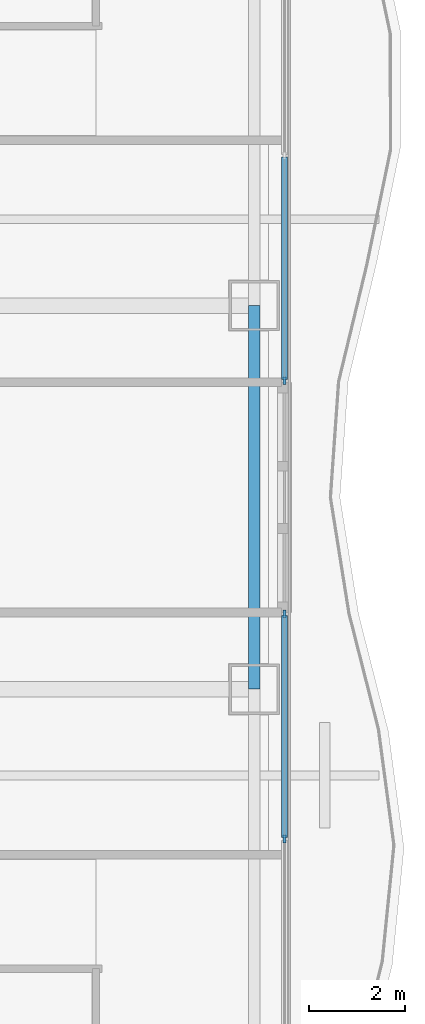
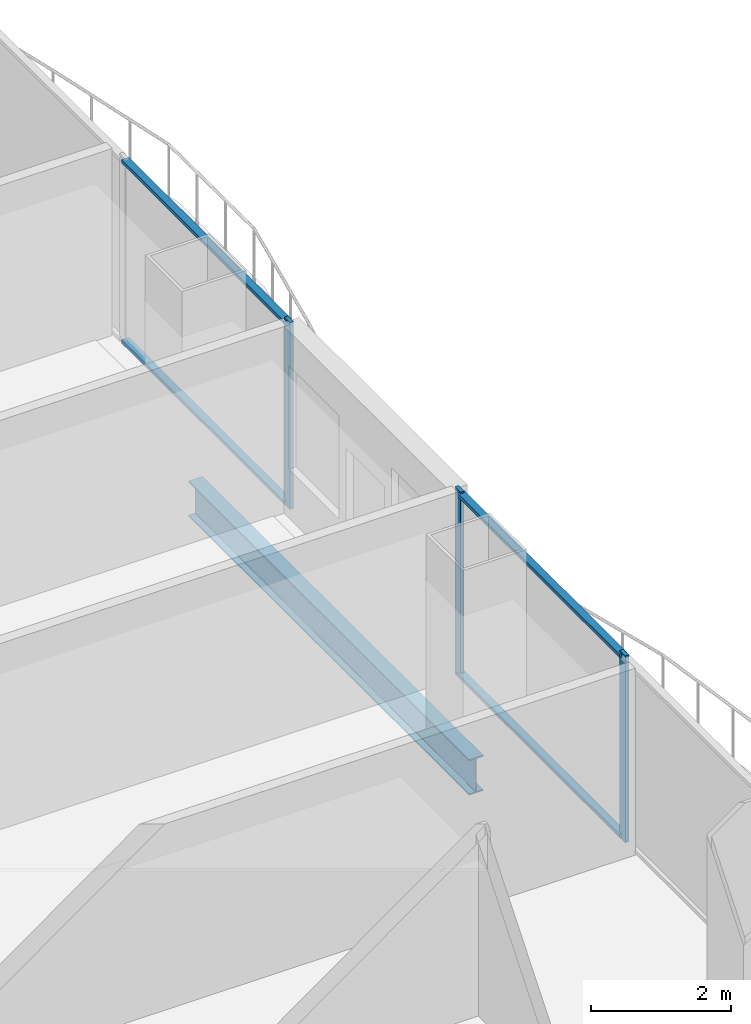
# One storey, part 8 of 24: 7 members, 1 beam, 2 elements without a shape of their own.
"""IFC4 building model written with IfcOpenShell, lengths in metres."""

from ifc_helpers import new_model, si_unit, direction, frame, origin, origin_2d, place, context, subcontext, project, spatial, rectangle, i_section, extrude, material, layer, layer_set, material_profile, profile_set, type_object, element, aggregate, save


model = new_model("IFC4")

# Units and contexts
model_context = context("Model", 3, precision=1e-05, world=origin(), true_north=direction((0.0, 1.0)))
body_context = subcontext(model_context, "Body", "Model", "MODEL_VIEW")
ifc_project = project(units=[si_unit("LENGTHUNIT", "METRE"), si_unit("AREAUNIT", "SQUARE_METRE"), si_unit("VOLUMEUNIT", "CUBIC_METRE"), si_unit("PLANEANGLEUNIT", "RADIAN"), si_unit("MASSUNIT", "GRAM", prefix="KILO")], contexts=[model_context])

# Site, building, storey
site_placement = place(None, origin())
site = spatial("IfcSite", under=ifc_project, at=site_placement, CompositionType="ELEMENT")
building_placement = place(site_placement, origin())
building = spatial("IfcBuilding", under=site, at=building_placement, Name="Trevonay Congress Spire", CompositionType="ELEMENT")
storey_placement = place(building_placement, frame((0.0, 0.0, 55.0)))
storey = spatial("IfcBuildingStorey", under=building, at=storey_placement, Name="L13", CompositionType="ELEMENT", Elevation=55.0)

# Beam
ifc_material_1 = material(Name="Steel ASTM A572 Grade 50", Category="steel")
ifc_material_profile_1 = material_profile(ifc_material_1, i_section(OverallWidth=0.22998046875, OverallDepth=0.616943359375, WebThickness=0.01318359375, FlangeThickness=0.022216796875, FilletRadius=0.01611328125, at=origin_2d()), Name="W610x140")
ifc_profile_set_1 = profile_set([ifc_material_profile_1], Name="Steel ASTM A572 Grade 50")
beam_type = type_object("IfcBeamType", Name="BM-RING-W610X140", PredefinedType="BEAM", material=ifc_profile_set_1)
beam_placement = place(storey_placement, frame((23.25, -4.0, -0.55859375), z_axis=(0.0, 1.0, 0.0), x_axis=(-1.0, 0.0, 0.0)))
element("IfcBeam", 1, at=beam_placement, inside=storey, type_object=beam_type, Name="L13 structural beam BM-L13-PE3", PredefinedType="BEAM", context=body_context, shape_type="SweptSolid", body=[
    extrude(i_section(OverallWidth=0.22998046875, OverallDepth=0.616943359375, WebThickness=0.01318359375, FlangeThickness=0.022216796875, FilletRadius=0.01611328125, at=origin_2d()), origin(), (0.0, 0.0, 1.0), 8.0),
])

# Curtain wall, members
ifc_material_2 = material(Name="Pale Anodised Aluminium EN AW-6063-T6", Category="aluminium")
ifc_layer = layer(ifc_material_2, 0.179931640625, Name="Pale Anodised Aluminium EN AW-6063-T6")
ifc_layer_set = layer_set([ifc_layer], Name="Pale Anodised Aluminium EN AW-6063-T6")
curtain_wall_type = type_object("IfcCurtainWallType", Name="CW-SYS02-HOTEL-PALE-METAL", PredefinedType="NOTDEFINED", material=ifc_layer_set)
curtain_wall_1_placement = place(storey_placement, origin())
curtain_wall_1 = element("IfcCurtainWall", 2, at=curtain_wall_1_placement, inside=storey, type_object=curtain_wall_type, Name="L13 EA unitised curtain wall", PredefinedType="NOTDEFINED")
ifc_material_profile_2 = material_profile(ifc_material_2, rectangle(XDim=0.06005859375, YDim=0.159912109375, at=origin_2d()), Name="CW-MULLION-160-ALUMINIUM")
ifc_profile_set_2 = profile_set([ifc_material_profile_2], Name="Pale Anodised Aluminium EN AW-6063-T6")
member_type_1 = type_object("IfcMemberType", Name="CW-MULLION-160-ALUMINIUM", PredefinedType="MULLION", material=ifc_profile_set_2)
member_1_placement = place(storey_placement, frame((23.8798828125, -7.125, 0.0), z_axis=(0.0, 0.0, 1.0), x_axis=(-1.0, 0.0, 0.0)))
member_1 = element("IfcMember", 3, at=member_1_placement, type_object=member_type_1, Name="CW02 mullion 2", PredefinedType="MULLION", context=body_context, shape_type="SweptSolid", body=[
    extrude(rectangle(XDim=0.06005859375, YDim=0.159912109375, at=origin_2d()), origin(), (0.0, 0.0, 1.0), 3.25),
])
member_2_placement = place(storey_placement, frame((23.8798828125, -2.429931640625, 0.0), z_axis=(0.0, 0.0, 1.0), x_axis=(-1.0, 0.0, 0.0)))
member_2 = element("IfcMember", 4, at=member_2_placement, type_object=member_type_1, Name="CW02 mullion 3", PredefinedType="MULLION", context=body_context, shape_type="SweptSolid", body=[
    extrude(rectangle(XDim=0.06005859375, YDim=0.159912109375, at=origin_2d()), origin(), (0.0, 0.0, 1.0), 3.25),
])

# Curtain wall, member
curtain_wall_2_placement = place(storey_placement, origin())
curtain_wall_2 = element("IfcCurtainWall", 5, at=curtain_wall_2_placement, inside=storey, type_object=curtain_wall_type, Name="L13 EB unitised curtain wall", PredefinedType="NOTDEFINED")
member_3_placement = place(storey_placement, frame((23.8798828125, 2.429931640625, 0.0), z_axis=(0.0, 0.0, 1.0), x_axis=(-1.0, 0.0, 0.0)))
member_3 = element("IfcMember", 6, at=member_3_placement, type_object=member_type_1, Name="CW02 mullion 1", PredefinedType="MULLION", context=body_context, shape_type="SweptSolid", body=[
    extrude(rectangle(XDim=0.06005859375, YDim=0.159912109375, at=origin_2d()), origin(), (0.0, 0.0, 1.0), 3.25),
])

# Member
ifc_material_profile_3 = material_profile(ifc_material_2, rectangle(XDim=0.1201171875, YDim=0.06005859375, at=origin_2d()), Name="CW-TRANSOM-120-ALUMINIUM")
ifc_profile_set_3 = profile_set([ifc_material_profile_3], Name="Pale Anodised Aluminium EN AW-6063-T6")
member_type_2 = type_object("IfcMemberType", Name="CW-TRANSOM-120-ALUMINIUM", PredefinedType="USERDEFINED", material=ifc_profile_set_3)
member_4_placement = place(storey_placement, frame((23.8798828125, -7.094970703125, 0.06005859375), z_axis=(0.0, 1.0, 0.0), x_axis=(-1.0, 0.0, 0.0)))
member_4 = element("IfcMember", 7, at=member_4_placement, type_object=member_type_2, Name="CW02 transom 2.1", ObjectType="TRANSOM", PredefinedType="USERDEFINED", context=body_context, shape_type="SweptSolid", body=[
    extrude(rectangle(XDim=0.1201171875, YDim=0.06005859375, at=origin_2d()), origin(), (0.0, 0.0, 1.0), 4.635009765625),
])

member_5_placement = place(storey_placement, frame((23.8798828125, -7.094970703125, 3.18994140625), z_axis=(0.0, 1.0, 0.0), x_axis=(-1.0, 0.0, 0.0)))
member_5 = element("IfcMember", 8, at=member_5_placement, type_object=member_type_2, Name="CW02 transom 2.2", ObjectType="TRANSOM", PredefinedType="USERDEFINED", context=body_context, shape_type="SweptSolid", body=[
    extrude(rectangle(XDim=0.1201171875, YDim=0.06005859375, at=origin_2d()), origin(), (0.0, 0.0, 1.0), 4.635009765625),
])

aggregate(curtain_wall_1, [member_1, member_2, member_4, member_5])

member_6_placement = place(storey_placement, frame((23.8798828125, 2.4599609375, 0.06005859375), z_axis=(0.0, 1.0, 0.0), x_axis=(-1.0, 0.0, 0.0)))
member_6 = element("IfcMember", 9, at=member_6_placement, type_object=member_type_2, Name="CW02 transom 1.1", ObjectType="TRANSOM", PredefinedType="USERDEFINED", context=body_context, shape_type="SweptSolid", body=[
    extrude(rectangle(XDim=0.1201171875, YDim=0.06005859375, at=origin_2d()), origin(), (0.0, 0.0, 1.0), 4.635009765625),
])

member_7_placement = place(storey_placement, frame((23.8798828125, 2.4599609375, 3.18994140625), z_axis=(0.0, 1.0, 0.0), x_axis=(-1.0, 0.0, 0.0)))
member_7 = element("IfcMember", 10, at=member_7_placement, type_object=member_type_2, Name="CW02 transom 1.2", ObjectType="TRANSOM", PredefinedType="USERDEFINED", context=body_context, shape_type="SweptSolid", body=[
    extrude(rectangle(XDim=0.1201171875, YDim=0.06005859375, at=origin_2d()), origin(), (0.0, 0.0, 1.0), 4.635009765625),
])

aggregate(curtain_wall_2, [member_3, member_6, member_7])

save(model, "model.ifc")
